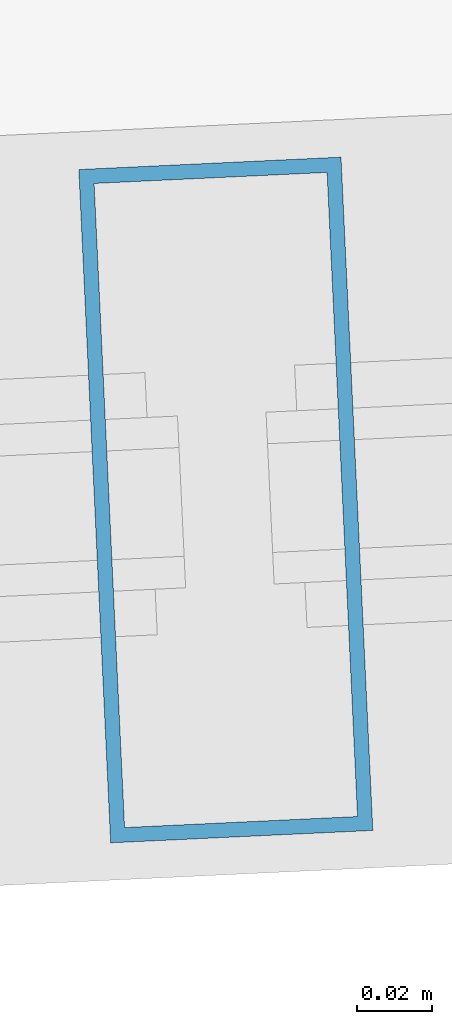
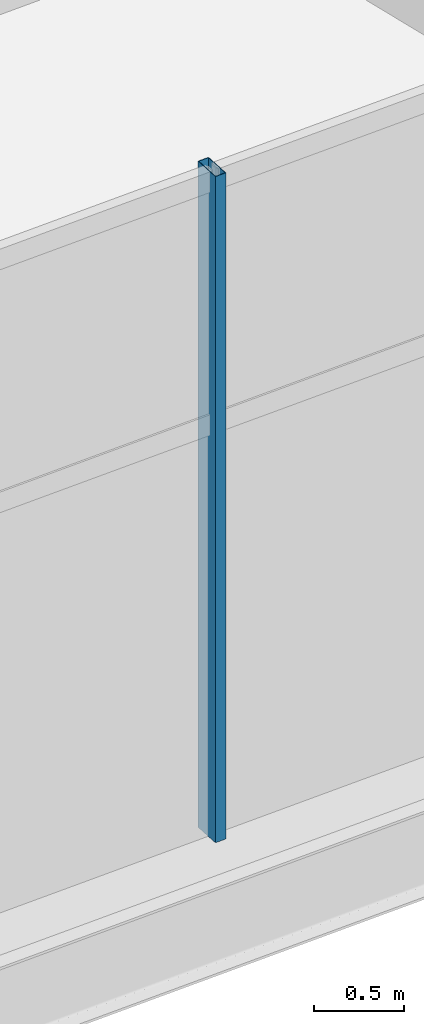
# One storey, part 35 of 186: 1 member, 1 element without a shape of its own.
"""IFC4 building model written with IfcOpenShell, lengths in metres."""

from ifc_helpers import new_model, si_unit, direction, frame, origin, origin_2d, place, context, subcontext, project, spatial, hollow_rectangle, extrude, material, layer, layer_set, material_profile, profile_set, type_object, element, aggregate, save


model = new_model("IFC4")

# Units and contexts
model_context = context("Model", 3, precision=1e-05, world=origin(), true_north=direction((0.0, 1.0)))
body_context = subcontext(model_context, "Body", "Model", "MODEL_VIEW")
ifc_project = project(units=[si_unit("LENGTHUNIT", "METRE"), si_unit("AREAUNIT", "SQUARE_METRE"), si_unit("VOLUMEUNIT", "CUBIC_METRE"), si_unit("PLANEANGLEUNIT", "RADIAN"), si_unit("MASSUNIT", "GRAM", prefix="KILO")], contexts=[model_context])

# Site, building, storey
site_placement = place(None, origin())
site = spatial("IfcSite", under=ifc_project, at=site_placement, CompositionType="ELEMENT")
building_placement = place(site_placement, origin())
building = spatial("IfcBuilding", under=site, at=building_placement, Name="Kazemori Nagisa Stadium", CompositionType="ELEMENT")
storey_placement = place(building_placement, frame((0.0, 0.0, 20.39990234375)))
storey = spatial("IfcBuildingStorey", under=building, at=storey_placement, Name="L04", CompositionType="ELEMENT", Elevation=20.39990234375)

# Curtain wall, member
ifc_material_1 = material(Name="Anodised aluminium 6063-T5", Category="aluminium")
ifc_layer = layer(ifc_material_1, 0.179931640625, Name="Anodised aluminium 6063-T5", Category="aluminium")
ifc_layer_set = layer_set([ifc_layer], Name="Anodised aluminium 6063-T5")
curtain_wall_type = type_object("IfcCurtainWallType", Name="CW_L04R3_105", PredefinedType="USERDEFINED", material=ifc_layer_set)
curtain_wall_placement = place(storey_placement, origin())
curtain_wall = element("IfcCurtainWall", 1, at=curtain_wall_placement, inside=storey, type_object=curtain_wall_type, Name="Unitised curtain wall CW-L04R3-105 L04", ObjectType="UNITISED CURTAIN WALL", PredefinedType="USERDEFINED")
ifc_material_2 = material(Name="Aluminium 6063-T5 anodised", Category="aluminium")
ifc_material_profile = material_profile(ifc_material_2, hollow_rectangle(XDim=0.070068359375, YDim=0.179931640625, WallThickness=0.00390625, at=origin_2d()), Name="ALU-MULL-70x180x4")
ifc_profile_set = profile_set([ifc_material_profile], Name="Aluminium 6063-T5 anodised")
member_type = type_object("IfcMemberType", Name="Mullion_M01", PredefinedType="MULLION", material=ifc_profile_set)
member_placement = place(storey_placement, frame((137.2001953125, 16.67138671875, 0.0), z_axis=(0.0, 0.0, 1.0), x_axis=(0.998884022476, 0.047230388971, 0.0)))
member = element("IfcMember", 2, at=member_placement, type_object=member_type, Name="Curtain wall mullion CW-L04R3-105-M3", PredefinedType="MULLION", context=body_context, shape_type="SweptSolid", body=[
    extrude(hollow_rectangle(XDim=0.070068359375, YDim=0.179931640625, WallThickness=0.00390625, at=origin_2d()), origin(), (0.0, 0.0, 1.0), 4.530029296875),
])
aggregate(curtain_wall, [member])

save(model, "model.ifc")
